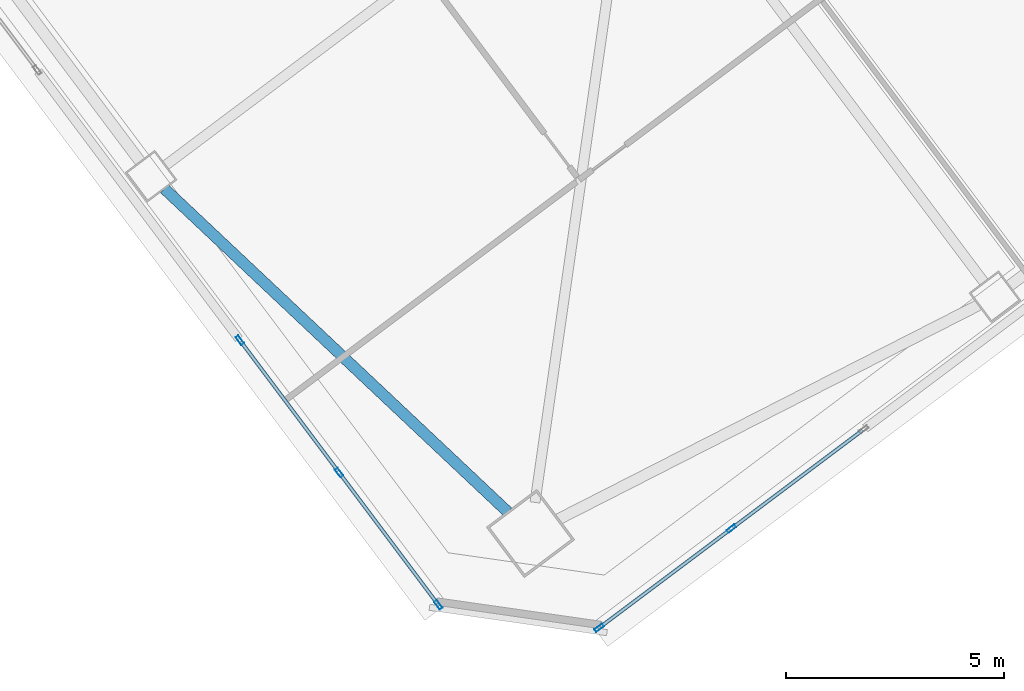
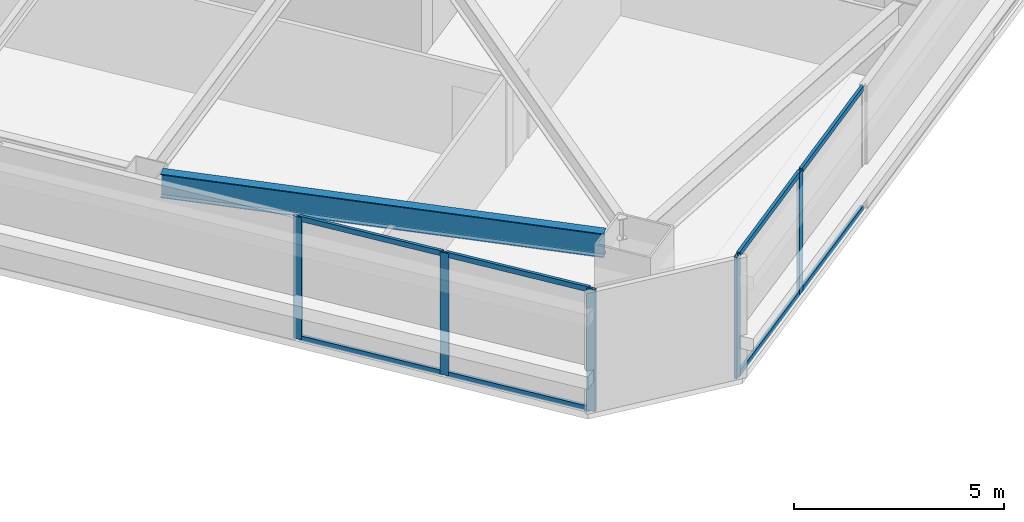
# One storey, part 17 of 44: 13 members, 1 beam, 2 elements without a shape of their own.
"""IFC4 building model written with IfcOpenShell, lengths in metres."""

import ifcopenshell
import ifcopenshell.guid

model = None  # the IFC model being written
_history = None  # IfcOwnerHistory: only IFC2X3 demands one
_inside = {}  # id of a spatial element -> (the spatial element, [elements in it])
_under = {}  # id of a project, library or spatial element -> (it, [spatial elements below it])
_declared = {}  # id of a project -> (the project, [libraries it declares])
_typed = {}  # id of a type object -> (the type object, [elements of that type])
_made_of = {}  # id of a material, layer set ... -> (it, [elements and type objects made of it])


def new_model(schema):
    """Start an empty IFC model of exactly this schema.

    Asked for "IFC4X3", IfcOpenShell would pick the latest addendum, in which some entities
    have other attributes; the version numbers below select the first issue.
    IFC2X3 requires an IfcOwnerHistory on every rooted entity: one is made here for all.
    """
    global model, _history
    if schema == "IFC4X3":
        model = ifcopenshell.file(schema_version=(4, 3, 0, 0))
    else:
        model = ifcopenshell.file(schema=schema)
    _inside.clear()
    _under.clear()
    _declared.clear()
    _typed.clear()
    _made_of.clear()
    _history = None
    if model.schema == "IFC2X3":
        org = make("IfcOrganization", Name="unknown")
        user = make(
            "IfcPersonAndOrganization",
            ThePerson=make("IfcPerson", FamilyName="unknown"),
            TheOrganization=org,
        )
        app = make(
            "IfcApplication",
            ApplicationDeveloper=org,
            Version="unknown",
            ApplicationFullName="unknown",
            ApplicationIdentifier="unknown",
        )
        _history = make(
            "IfcOwnerHistory",
            OwningUser=user,
            OwningApplication=app,
            ChangeAction="ADDED",
            CreationDate=0,
        )
    return model


def make(cls, **values):
    """One entity of the class cls with the attributes given. An attribute that is None is left unset."""
    return model.create_entity(
        cls, **{name: value for name, value in values.items() if value is not None}
    )


def rooted(cls, **values):
    """An entity with a GlobalId (a new one), such as an element, a storey or a relation."""
    return make(cls, GlobalId=ifcopenshell.guid.new(), OwnerHistory=_history, **values)


def si_unit(unit_type, name, prefix=None):
    """IfcSIUnit, for example si_unit("LENGTHUNIT", "METRE", prefix="MILLI")."""
    return make("IfcSIUnit", UnitType=unit_type, Prefix=prefix, Name=name)


def assignment(units):
    """IfcUnitAssignment: the units of a project."""
    return None if units is None else make("IfcUnitAssignment", Units=units)


def point(xyz):
    """IfcCartesianPoint."""
    return None if xyz is None else make("IfcCartesianPoint", Coordinates=xyz)


def direction(xyz):
    """IfcDirection."""
    return None if xyz is None else make("IfcDirection", DirectionRatios=xyz)


def frame(location, z_axis=None, x_axis=None):
    """IfcAxis2Placement3D, a coordinate frame: its origin and axes. An axis left out is left unset."""
    return make(
        "IfcAxis2Placement3D",
        Location=point(location),
        Axis=direction(z_axis),
        RefDirection=direction(x_axis),
    )


def frame_2d(location, x_axis=None):
    """IfcAxis2Placement2D, a coordinate frame in the plane: its origin and x axis."""
    return make(
        "IfcAxis2Placement2D", Location=point(location), RefDirection=direction(x_axis)
    )


def origin():
    """The frame at (0, 0, 0) with its axes left unset."""
    return frame((0.0, 0.0, 0.0))


def origin_2d():
    """The frame at (0, 0) in the plane with its x axis left unset."""
    return frame_2d((0.0, 0.0))


def place(relative_to, where):
    """IfcLocalPlacement: puts the frame where relative to a parent placement (None: the world)."""
    return make(
        "IfcLocalPlacement", PlacementRelTo=relative_to, RelativePlacement=where
    )


def context(
    kind, dimensions, precision=None, world=None, true_north=None, identifier=None
):
    """IfcGeometricRepresentationContext, for example the 3D "Model" context."""
    return make(
        "IfcGeometricRepresentationContext",
        ContextIdentifier=identifier,
        ContextType=kind,
        CoordinateSpaceDimension=dimensions,
        Precision=precision,
        WorldCoordinateSystem=world,
        TrueNorth=true_north,
    )


def subcontext(parent, identifier, kind, view, scale=None):
    """IfcGeometricRepresentationSubContext, for example "Body" below "Model"."""
    return make(
        "IfcGeometricRepresentationSubContext",
        ContextIdentifier=identifier,
        ContextType=kind,
        ParentContext=parent,
        TargetScale=scale,
        TargetView=view,
    )


def project(units=None, contexts=None):
    """IfcProject with its units and contexts."""
    return rooted(
        "IfcProject",
        Name="project",
        RepresentationContexts=contexts,
        UnitsInContext=assignment(units),
    )


def spatial(cls, under=None, at=None, **own):
    """A site, building, storey or space (cls), placed at a placement, below another one or the project."""
    s = rooted(cls, ObjectPlacement=at, **own)
    if under is not None:
        _under.setdefault(under.id(), (under, []))[1].append(s)
    return s


def profile(cls, at=None, kind="AREA", **sizes):
    """A parametric profile (cls). Its sizes go by their IFC names, for example OverallWidth=200.0."""
    return make(cls, ProfileType=kind, Position=at, **sizes)


def hollow_rectangle(**sizes):
    """IfcRectangleHollowProfileDef."""
    return profile("IfcRectangleHollowProfileDef", **sizes)


def i_section(**sizes):
    """IfcIShapeProfileDef."""
    return profile("IfcIShapeProfileDef", **sizes)


def extrude(swept, where, along, depth):
    """IfcExtrudedAreaSolid: the profile swept, set in the frame where, extruded along a direction by depth."""
    return make(
        "IfcExtrudedAreaSolid",
        SweptArea=swept,
        Position=where,
        ExtrudedDirection=direction(along),
        Depth=depth,
    )


def shape(context_of_items, identifier, shape_type, items):
    """IfcShapeRepresentation: the items that make up one representation, for example the "Body"."""
    return make(
        "IfcShapeRepresentation",
        ContextOfItems=context_of_items,
        RepresentationIdentifier=identifier,
        RepresentationType=shape_type,
        Items=items,
    )


def material(Name=None, Category=None):
    """IfcMaterial."""
    return make("IfcMaterial", Name=Name, Category=Category)


def material_profile(
    of_material, cross_section, Name=None, Category=None, Priority=None
):
    """IfcMaterialProfile: a cross section and its material."""
    return make(
        "IfcMaterialProfile",
        Name=Name,
        Material=of_material,
        Profile=cross_section,
        Priority=Priority,
        Category=Category,
    )


def profile_set(profiles, Name=None, composite=None):
    """IfcMaterialProfileSet."""
    return make(
        "IfcMaterialProfileSet",
        Name=Name,
        MaterialProfiles=profiles,
        CompositeProfile=composite,
    )


def made_of(thing, what):
    """Note that an element or type object is made of a material, layer set ...; save() writes the relation."""
    if what is not None:
        _made_of.setdefault(what.id(), (what, []))[1].append(thing)
    return thing


def type_object(cls, material=None, **own):
    """A type object (cls), such as IfcWallType, which elements share."""
    return made_of(rooted(cls, **own), material)


def element(
    cls,
    number,
    at=None,
    inside=None,
    cuts=None,
    type_object=None,
    material=None,
    context=None,
    identifier="Body",
    shape_type=None,
    held_by="IfcProductDefinitionShape",
    body=None,
    shapes=None,
    **own,
):
    """One element of the class cls, such as IfcWall. Its Tag is "e" and its number.

    at: its placement. inside: the storey or other place that contains it. cuts: it is an
    opening in that element (IfcRelVoidsElement). A single representation is given by context,
    identifier, shape_type and body (its items); several are given by shapes. held_by: the class
    of the entity that holds the representations. save() writes the other relations.
    """
    e = rooted(cls, Tag="e%d" % number, ObjectPlacement=at, **own)
    if body is not None:
        shapes = [shape(context, identifier, shape_type, body)]
    if shapes is not None:
        e.Representation = make(held_by, Representations=shapes)
    if inside is not None:
        _inside.setdefault(inside.id(), (inside, []))[1].append(e)
    if cuts is not None:
        rooted(
            "IfcRelVoidsElement", RelatingBuildingElement=cuts, RelatedOpeningElement=e
        )
    if type_object is not None:
        _typed.setdefault(type_object.id(), (type_object, []))[1].append(e)
    return made_of(e, material)


def aggregate(whole, parts):
    """IfcRelAggregates: a whole, such as a stair, and the parts it consists of."""
    return rooted("IfcRelAggregates", RelatingObject=whole, RelatedObjects=parts)


def save(model, path):
    """Write the relations noted so far, then the file.

    IfcRelAggregates (storeys below a building ...), IfcRelContainedInSpatialStructure (elements
    in a storey), IfcRelDefinesByType, IfcRelAssociatesMaterial and IfcRelDeclares: one each for
    every whole, place, type object, material and project.
    """
    for whole, parts in _under.values():
        aggregate(whole, parts)
    for where, things in _inside.values():
        rooted(
            "IfcRelContainedInSpatialStructure",
            RelatedElements=things,
            RelatingStructure=where,
        )
    for kind, things in _typed.values():
        rooted("IfcRelDefinesByType", RelatedObjects=things, RelatingType=kind)
    for what, things in _made_of.values():
        rooted("IfcRelAssociatesMaterial", RelatedObjects=things, RelatingMaterial=what)
    for by, libraries in _declared.values():
        rooted("IfcRelDeclares", RelatingContext=by, RelatedDefinitions=libraries)
    model.write(path)


model = new_model("IFC4")

# Units and contexts
model_context = context("Model", 3, precision=1e-05, world=origin(), true_north=direction((0.0, 1.0)))
body_context = subcontext(model_context, "Body", "Model", "MODEL_VIEW")
ifc_project = project(units=[si_unit("LENGTHUNIT", "METRE"), si_unit("AREAUNIT", "SQUARE_METRE"), si_unit("VOLUMEUNIT", "CUBIC_METRE"), si_unit("PLANEANGLEUNIT", "RADIAN"), si_unit("MASSUNIT", "GRAM", prefix="KILO")], contexts=[model_context])

# Site, building, storey
site_placement = place(None, origin())
site = spatial("IfcSite", under=ifc_project, at=site_placement, CompositionType="ELEMENT")
building_placement = place(site_placement, origin())
building = spatial("IfcBuilding", under=site, at=building_placement, Name="Tashvorn Skyway Center", CompositionType="ELEMENT")
storey_placement = place(building_placement, frame((0.0, 0.0, 92.050048828125)))
storey = spatial("IfcBuildingStorey", under=building, at=storey_placement, Name="L24", CompositionType="ELEMENT", Elevation=92.050048828125)

# Beam
ifc_material_1 = material(Name="Steel ASTM A992 Grade 50", Category="steel")
ifc_material_profile_1 = material_profile(ifc_material_1, i_section(OverallWidth=0.256103515625, OverallDepth=0.693115234375, WebThickness=0.014404296875, FlangeThickness=0.023681640625, at=origin_2d()), Name="W27X114")
ifc_profile_set_1 = profile_set([ifc_material_profile_1], Name="Steel ASTM A992 Grade 50")
beam_type = type_object("IfcBeamType", Name="BM-SPANDREL-W27X114", PredefinedType="SPANDREL", material=ifc_profile_set_1)
beam_placement = place(storey_placement, frame((102.145751953125, 15.842041015625, 3.00341796875), z_axis=(0.728086883893, -0.685484857238, 0.0), x_axis=(0.685484857238, 0.728086883893, 0.0)))
element("IfcBeam", 1, at=beam_placement, inside=storey, type_object=beam_type, Name="Tower 2 L24 Spandrel Beam 12", PredefinedType="SPANDREL", context=body_context, shape_type="SweptSolid", body=[
    extrude(i_section(OverallWidth=0.256103515625, OverallDepth=0.693115234375, WebThickness=0.014404296875, FlangeThickness=0.023681640625, at=origin_2d()), origin(), (0.0, 0.0, 1.0), 10.8369140625),
])

# Curtain wall, members
ifc_material_2 = material(Name="Thermally broken bronze-anodized aluminium 6063-T6", Category="aluminium")
curtain_wall_type = type_object("IfcCurtainWallType", Name="CW-CW-Z2", PredefinedType="NOTDEFINED", material=ifc_material_2)
curtain_wall_1_placement = place(storey_placement, origin())
curtain_wall_1 = element("IfcCurtainWall", 2, at=curtain_wall_1_placement, inside=storey, type_object=curtain_wall_type, Name="Tower 2 L24 South Unitised Curtain Wall Glazing Group 3", PredefinedType="NOTDEFINED")
ifc_material_profile_2 = material_profile(ifc_material_2, hollow_rectangle(XDim=0.080078125, YDim=0.219970703125, WallThickness=0.0048828125, at=origin_2d()), Name="ALU-MULL-80x220")
ifc_profile_set_2 = profile_set([ifc_material_profile_2], Name="Thermally broken bronze-anodized aluminium 6063-T6")
member_type_1 = type_object("IfcMemberType", Name="CWM-CW-Z2", PredefinedType="MULLION", material=ifc_profile_set_2)
member_1_placement = place(storey_placement, frame((115.176025390625, 8.031982421875, 0.0), z_axis=(0.0, 0.0, 1.0), x_axis=(0.600000000002, -0.799999999998, 0.0)))
member_1 = element("IfcMember", 3, at=member_1_placement, type_object=member_type_1, Name="CW-Z2 mullion 2", PredefinedType="MULLION", context=body_context, shape_type="SweptSolid", body=[
    extrude(hollow_rectangle(XDim=0.080078125, YDim=0.219970703125, WallThickness=0.0048828125, at=origin_2d()), origin(), (0.0, 0.0, 1.0), 3.550048828125),
])
member_2_placement = place(storey_placement, frame((112.135986328125, 5.751953125, 0.0), z_axis=(0.0, 0.0, 1.0), x_axis=(0.600000000002, -0.799999999998, 0.0)))
member_2 = element("IfcMember", 4, at=member_2_placement, type_object=member_type_1, Name="CW-Z2 mullion 3", PredefinedType="MULLION", context=body_context, shape_type="SweptSolid", body=[
    extrude(hollow_rectangle(XDim=0.080078125, YDim=0.219970703125, WallThickness=0.0048828125, at=origin_2d()), origin(), (0.0, 0.0, 1.0), 3.550048828125),
])

curtain_wall_2_placement = place(storey_placement, origin())
curtain_wall_2 = element("IfcCurtainWall", 5, at=curtain_wall_2_placement, inside=storey, type_object=curtain_wall_type, Name="Tower 2 L24 West Unitised Curtain Wall Glazing Group 1", PredefinedType="NOTDEFINED")
member_3_placement = place(storey_placement, frame((108.43994140625, 6.280029296875, 0.0), z_axis=(0.0, 0.0, 1.0), x_axis=(-0.799999999998, -0.600000000002, 0.0)))
member_3 = element("IfcMember", 6, at=member_3_placement, type_object=member_type_1, Name="CW-Z2 mullion 1", PredefinedType="MULLION", context=body_context, shape_type="SweptSolid", body=[
    extrude(hollow_rectangle(XDim=0.080078125, YDim=0.219970703125, WallThickness=0.0048828125, at=origin_2d()), origin(), (0.0, 0.0, 1.0), 3.550048828125),
])
member_4_placement = place(storey_placement, frame((106.159912109375, 9.320068359375, 0.0), z_axis=(0.0, 0.0, 1.0), x_axis=(-0.799999999998, -0.600000000002, 0.0)))
member_4 = element("IfcMember", 7, at=member_4_placement, type_object=member_type_1, Name="CW-Z2 mullion 2", PredefinedType="MULLION", context=body_context, shape_type="SweptSolid", body=[
    extrude(hollow_rectangle(XDim=0.080078125, YDim=0.219970703125, WallThickness=0.0048828125, at=origin_2d()), origin(), (0.0, 0.0, 1.0), 3.550048828125),
])
member_5_placement = place(storey_placement, frame((103.8798828125, 12.360107421875, 0.0), z_axis=(0.0, 0.0, 1.0), x_axis=(-0.799999999998, -0.600000000002, 0.0)))
member_5 = element("IfcMember", 8, at=member_5_placement, type_object=member_type_1, Name="CW-Z2 mullion 3", PredefinedType="MULLION", context=body_context, shape_type="SweptSolid", body=[
    extrude(hollow_rectangle(XDim=0.080078125, YDim=0.219970703125, WallThickness=0.0048828125, at=origin_2d()), origin(), (0.0, 0.0, 1.0), 3.550048828125),
])

# Member
ifc_material_profile_3 = material_profile(ifc_material_2, hollow_rectangle(XDim=0.080078125, YDim=0.14990234375, WallThickness=0.00439453125, at=origin_2d()), Name="ALU-TRAN-80x150")
ifc_profile_set_3 = profile_set([ifc_material_profile_3], Name="Thermally broken bronze-anodized aluminium 6063-T6")
member_type_2 = type_object("IfcMemberType", Name="CWT-CW-Z2", PredefinedType="USERDEFINED", material=ifc_profile_set_3)
member_6_placement = place(storey_placement, frame((118.18408203125, 10.2880859375, 0.0400390625), z_axis=(-0.799984249419, -0.6000210002, 0.0), x_axis=(0.6000210002, -0.799984249419, 0.0)))
member_6 = element("IfcMember", 9, at=member_6_placement, type_object=member_type_2, Name="CW-Z2 transom 1.1", ObjectType="TRANSOM", PredefinedType="USERDEFINED", context=body_context, shape_type="SweptSolid", body=[
    extrude(hollow_rectangle(XDim=0.080078125, YDim=0.14990234375, WallThickness=0.00439453125, at=origin_2d()), origin(), (0.0, 0.0, 1.0), 3.72021484375),
])

member_7_placement = place(storey_placement, frame((118.18408203125, 10.2880859375, 3.510009765625), z_axis=(-0.799984249419, -0.6000210002, 0.0), x_axis=(0.6000210002, -0.799984249419, 0.0)))
member_7 = element("IfcMember", 10, at=member_7_placement, type_object=member_type_2, Name="CW-Z2 transom 1.2", ObjectType="TRANSOM", PredefinedType="USERDEFINED", context=body_context, shape_type="SweptSolid", body=[
    extrude(hollow_rectangle(XDim=0.080078125, YDim=0.14990234375, WallThickness=0.00439453125, at=origin_2d()), origin(), (0.0, 0.0, 1.0), 3.72021484375),
])

member_8_placement = place(storey_placement, frame((115.14404296875, 8.008056640625, 0.0400390625), z_axis=(-0.799984249419, -0.6000210002, 0.0), x_axis=(0.6000210002, -0.799984249419, 0.0)))
member_8 = element("IfcMember", 11, at=member_8_placement, type_object=member_type_2, Name="CW-Z2 transom 2.1", ObjectType="TRANSOM", PredefinedType="USERDEFINED", context=body_context, shape_type="SweptSolid", body=[
    extrude(hollow_rectangle(XDim=0.080078125, YDim=0.14990234375, WallThickness=0.00439453125, at=origin_2d()), origin(), (0.0, 0.0, 1.0), 3.72021484375),
])

member_9_placement = place(storey_placement, frame((115.14404296875, 8.008056640625, 3.510009765625), z_axis=(-0.799984249419, -0.6000210002, 0.0), x_axis=(0.6000210002, -0.799984249419, 0.0)))
member_9 = element("IfcMember", 12, at=member_9_placement, type_object=member_type_2, Name="CW-Z2 transom 2.2", ObjectType="TRANSOM", PredefinedType="USERDEFINED", context=body_context, shape_type="SweptSolid", body=[
    extrude(hollow_rectangle(XDim=0.080078125, YDim=0.14990234375, WallThickness=0.00439453125, at=origin_2d()), origin(), (0.0, 0.0, 1.0), 3.72021484375),
])

aggregate(curtain_wall_1, [member_1, member_2, member_6, member_7, member_8, member_9])

member_10_placement = place(storey_placement, frame((108.416015625, 6.31201171875, 0.0400390625), z_axis=(-0.599978998559, 0.80001575065, 0.0), x_axis=(-0.80001575065, -0.599978998559, 0.0)))
member_10 = element("IfcMember", 13, at=member_10_placement, type_object=member_type_2, Name="CW-Z2 transom 1.1", ObjectType="TRANSOM", PredefinedType="USERDEFINED", context=body_context, shape_type="SweptSolid", body=[
    extrude(hollow_rectangle(XDim=0.080078125, YDim=0.14990234375, WallThickness=0.00439453125, at=origin_2d()), origin(), (0.0, 0.0, 1.0), 3.719970703125),
])

member_11_placement = place(storey_placement, frame((108.416015625, 6.31201171875, 3.510009765625), z_axis=(-0.599978998559, 0.80001575065, 0.0), x_axis=(-0.80001575065, -0.599978998559, 0.0)))
member_11 = element("IfcMember", 14, at=member_11_placement, type_object=member_type_2, Name="CW-Z2 transom 1.2", ObjectType="TRANSOM", PredefinedType="USERDEFINED", context=body_context, shape_type="SweptSolid", body=[
    extrude(hollow_rectangle(XDim=0.080078125, YDim=0.14990234375, WallThickness=0.00439453125, at=origin_2d()), origin(), (0.0, 0.0, 1.0), 3.719970703125),
])

member_12_placement = place(storey_placement, frame((106.135986328125, 9.35205078125, 0.0400390625), z_axis=(-0.600010501117, 0.799992124055, 0.0), x_axis=(-0.799992124055, -0.600010501117, 0.0)))
member_12 = element("IfcMember", 15, at=member_12_placement, type_object=member_type_2, Name="CW-Z2 transom 2.1", ObjectType="TRANSOM", PredefinedType="USERDEFINED", context=body_context, shape_type="SweptSolid", body=[
    extrude(hollow_rectangle(XDim=0.080078125, YDim=0.14990234375, WallThickness=0.00439453125, at=origin_2d()), origin(), (0.0, 0.0, 1.0), 3.7197265625),
])

member_13_placement = place(storey_placement, frame((106.135986328125, 9.35205078125, 3.510009765625), z_axis=(-0.600010501117, 0.799992124055, 0.0), x_axis=(-0.799992124055, -0.600010501117, 0.0)))
member_13 = element("IfcMember", 16, at=member_13_placement, type_object=member_type_2, Name="CW-Z2 transom 2.2", ObjectType="TRANSOM", PredefinedType="USERDEFINED", context=body_context, shape_type="SweptSolid", body=[
    extrude(hollow_rectangle(XDim=0.080078125, YDim=0.14990234375, WallThickness=0.00439453125, at=origin_2d()), origin(), (0.0, 0.0, 1.0), 3.7197265625),
])

aggregate(curtain_wall_2, [member_3, member_4, member_5, member_10, member_11, member_12, member_13])

save(model, "model.ifc")
